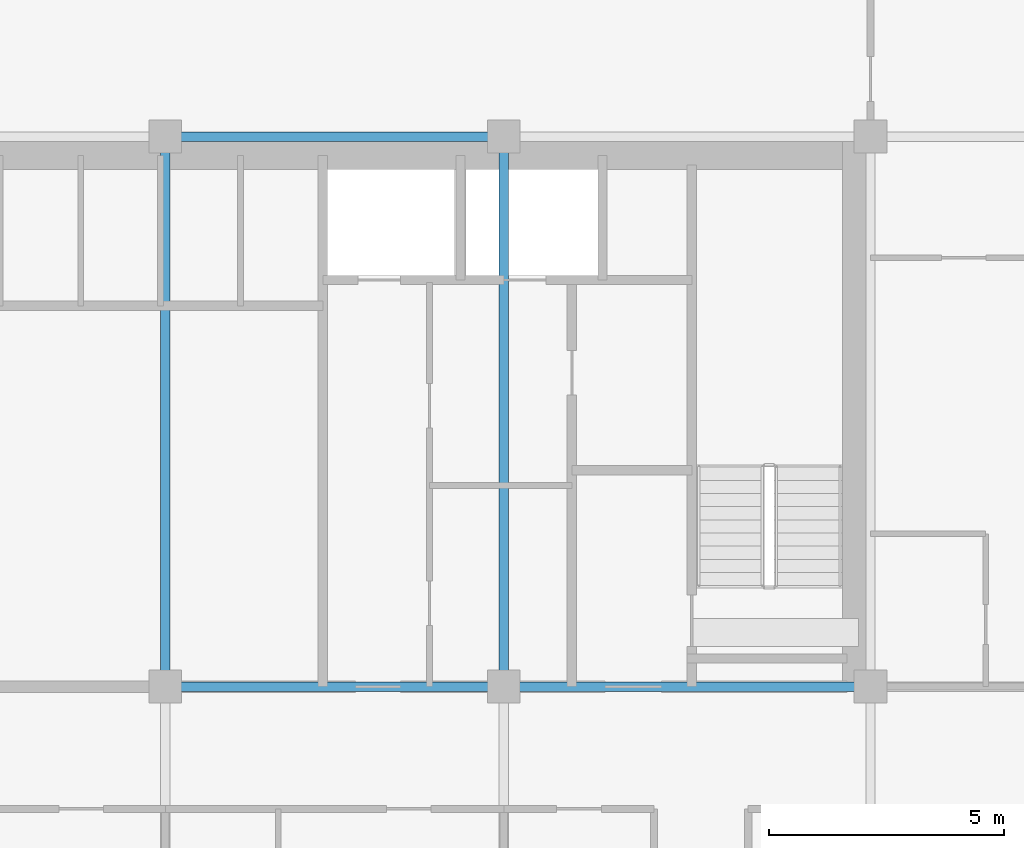
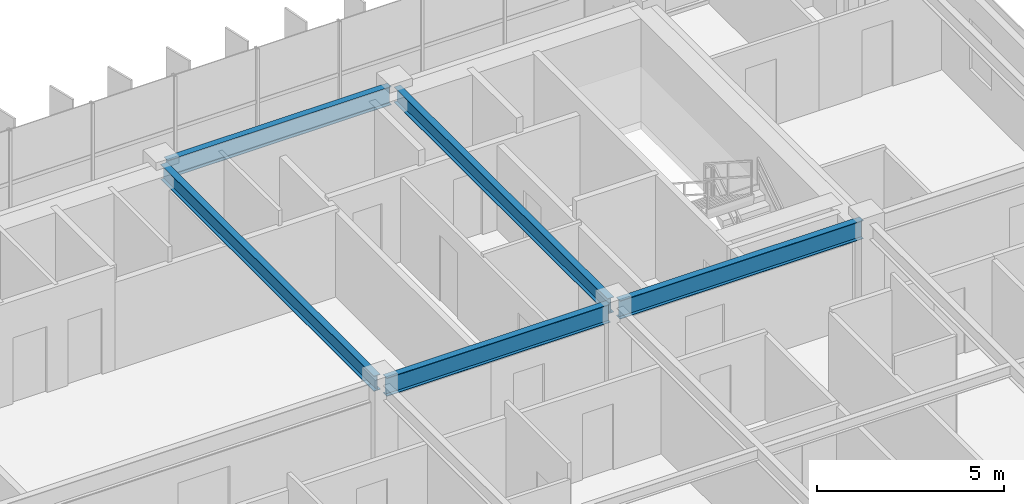
# One storey, part 8 of 21: 5 beams.
"""IFC4 building model written with IfcOpenShell, lengths in metres."""

import ifcopenshell
import ifcopenshell.guid

model = None  # the IFC model being written
_history = None  # IfcOwnerHistory: only IFC2X3 demands one
_inside = {}  # id of a spatial element -> (the spatial element, [elements in it])
_under = {}  # id of a project, library or spatial element -> (it, [spatial elements below it])
_declared = {}  # id of a project -> (the project, [libraries it declares])
_typed = {}  # id of a type object -> (the type object, [elements of that type])
_made_of = {}  # id of a material, layer set ... -> (it, [elements and type objects made of it])


def new_model(schema):
    """Start an empty IFC model of exactly this schema.

    Asked for "IFC4X3", IfcOpenShell would pick the latest addendum, in which some entities
    have other attributes; the version numbers below select the first issue.
    IFC2X3 requires an IfcOwnerHistory on every rooted entity: one is made here for all.
    """
    global model, _history
    if schema == "IFC4X3":
        model = ifcopenshell.file(schema_version=(4, 3, 0, 0))
    else:
        model = ifcopenshell.file(schema=schema)
    _inside.clear()
    _under.clear()
    _declared.clear()
    _typed.clear()
    _made_of.clear()
    _history = None
    if model.schema == "IFC2X3":
        org = make("IfcOrganization", Name="unknown")
        user = make(
            "IfcPersonAndOrganization",
            ThePerson=make("IfcPerson", FamilyName="unknown"),
            TheOrganization=org,
        )
        app = make(
            "IfcApplication",
            ApplicationDeveloper=org,
            Version="unknown",
            ApplicationFullName="unknown",
            ApplicationIdentifier="unknown",
        )
        _history = make(
            "IfcOwnerHistory",
            OwningUser=user,
            OwningApplication=app,
            ChangeAction="ADDED",
            CreationDate=0,
        )
    return model


def make(cls, **values):
    """One entity of the class cls with the attributes given. An attribute that is None is left unset."""
    return model.create_entity(
        cls, **{name: value for name, value in values.items() if value is not None}
    )


def rooted(cls, **values):
    """An entity with a GlobalId (a new one), such as an element, a storey or a relation."""
    return make(cls, GlobalId=ifcopenshell.guid.new(), OwnerHistory=_history, **values)


def si_unit(unit_type, name, prefix=None):
    """IfcSIUnit, for example si_unit("LENGTHUNIT", "METRE", prefix="MILLI")."""
    return make("IfcSIUnit", UnitType=unit_type, Prefix=prefix, Name=name)


def assignment(units):
    """IfcUnitAssignment: the units of a project."""
    return None if units is None else make("IfcUnitAssignment", Units=units)


def point(xyz):
    """IfcCartesianPoint."""
    return None if xyz is None else make("IfcCartesianPoint", Coordinates=xyz)


def direction(xyz):
    """IfcDirection."""
    return None if xyz is None else make("IfcDirection", DirectionRatios=xyz)


def frame(location, z_axis=None, x_axis=None):
    """IfcAxis2Placement3D, a coordinate frame: its origin and axes. An axis left out is left unset."""
    return make(
        "IfcAxis2Placement3D",
        Location=point(location),
        Axis=direction(z_axis),
        RefDirection=direction(x_axis),
    )


def frame_2d(location, x_axis=None):
    """IfcAxis2Placement2D, a coordinate frame in the plane: its origin and x axis."""
    return make(
        "IfcAxis2Placement2D", Location=point(location), RefDirection=direction(x_axis)
    )


def origin():
    """The frame at (0, 0, 0) with its axes left unset."""
    return frame((0.0, 0.0, 0.0))


def origin_2d():
    """The frame at (0, 0) in the plane with its x axis left unset."""
    return frame_2d((0.0, 0.0))


def place(relative_to, where):
    """IfcLocalPlacement: puts the frame where relative to a parent placement (None: the world)."""
    return make(
        "IfcLocalPlacement", PlacementRelTo=relative_to, RelativePlacement=where
    )


def context(
    kind, dimensions, precision=None, world=None, true_north=None, identifier=None
):
    """IfcGeometricRepresentationContext, for example the 3D "Model" context."""
    return make(
        "IfcGeometricRepresentationContext",
        ContextIdentifier=identifier,
        ContextType=kind,
        CoordinateSpaceDimension=dimensions,
        Precision=precision,
        WorldCoordinateSystem=world,
        TrueNorth=true_north,
    )


def subcontext(parent, identifier, kind, view, scale=None):
    """IfcGeometricRepresentationSubContext, for example "Body" below "Model"."""
    return make(
        "IfcGeometricRepresentationSubContext",
        ContextIdentifier=identifier,
        ContextType=kind,
        ParentContext=parent,
        TargetScale=scale,
        TargetView=view,
    )


def project(units=None, contexts=None):
    """IfcProject with its units and contexts."""
    return rooted(
        "IfcProject",
        Name="project",
        RepresentationContexts=contexts,
        UnitsInContext=assignment(units),
    )


def spatial(cls, under=None, at=None, **own):
    """A site, building, storey or space (cls), placed at a placement, below another one or the project."""
    s = rooted(cls, ObjectPlacement=at, **own)
    if under is not None:
        _under.setdefault(under.id(), (under, []))[1].append(s)
    return s


def profile(cls, at=None, kind="AREA", **sizes):
    """A parametric profile (cls). Its sizes go by their IFC names, for example OverallWidth=200.0."""
    return make(cls, ProfileType=kind, Position=at, **sizes)


def i_section(**sizes):
    """IfcIShapeProfileDef."""
    return profile("IfcIShapeProfileDef", **sizes)


def extrude(swept, where, along, depth):
    """IfcExtrudedAreaSolid: the profile swept, set in the frame where, extruded along a direction by depth."""
    return make(
        "IfcExtrudedAreaSolid",
        SweptArea=swept,
        Position=where,
        ExtrudedDirection=direction(along),
        Depth=depth,
    )


def shape(context_of_items, identifier, shape_type, items):
    """IfcShapeRepresentation: the items that make up one representation, for example the "Body"."""
    return make(
        "IfcShapeRepresentation",
        ContextOfItems=context_of_items,
        RepresentationIdentifier=identifier,
        RepresentationType=shape_type,
        Items=items,
    )


def source(mapping_origin, context_of_items, identifier, shape_type, items):
    """IfcRepresentationMap: a shape defined once, which mapped items show again and again."""
    return make(
        "IfcRepresentationMap",
        MappingOrigin=mapping_origin,
        MappedRepresentation=shape(context_of_items, identifier, shape_type, items),
    )


def transform(
    local_origin,
    x_axis=None,
    y_axis=None,
    z_axis=None,
    scale=None,
    scale2=None,
    scale3=None,
    uniform=True,
):
    """IfcCartesianTransformationOperator3D, or its non-uniform kind. x_axis, y_axis, z_axis: its Axis1, 2, 3."""
    if uniform:
        return make(
            "IfcCartesianTransformationOperator3D",
            Axis1=direction(x_axis),
            Axis2=direction(y_axis),
            LocalOrigin=point(local_origin),
            Scale=scale,
            Axis3=direction(z_axis),
        )
    return make(
        "IfcCartesianTransformationOperator3DnonUniform",
        Axis1=direction(x_axis),
        Axis2=direction(y_axis),
        LocalOrigin=point(local_origin),
        Scale=scale,
        Axis3=direction(z_axis),
        Scale2=scale2,
        Scale3=scale3,
    )


def mapped(mapping_source, mapping_target):
    """IfcMappedItem: shows the shape of a source again, moved by a transform."""
    return make(
        "IfcMappedItem", MappingSource=mapping_source, MappingTarget=mapping_target
    )


def material(Name=None, Category=None):
    """IfcMaterial."""
    return make("IfcMaterial", Name=Name, Category=Category)


def material_profile(
    of_material, cross_section, Name=None, Category=None, Priority=None
):
    """IfcMaterialProfile: a cross section and its material."""
    return make(
        "IfcMaterialProfile",
        Name=Name,
        Material=of_material,
        Profile=cross_section,
        Priority=Priority,
        Category=Category,
    )


def profile_set(profiles, Name=None, composite=None):
    """IfcMaterialProfileSet."""
    return make(
        "IfcMaterialProfileSet",
        Name=Name,
        MaterialProfiles=profiles,
        CompositeProfile=composite,
    )


def made_of(thing, what):
    """Note that an element or type object is made of a material, layer set ...; save() writes the relation."""
    if what is not None:
        _made_of.setdefault(what.id(), (what, []))[1].append(thing)
    return thing


def type_object(cls, material=None, **own):
    """A type object (cls), such as IfcWallType, which elements share."""
    return made_of(rooted(cls, **own), material)


def element(
    cls,
    number,
    at=None,
    inside=None,
    cuts=None,
    type_object=None,
    material=None,
    context=None,
    identifier="Body",
    shape_type=None,
    held_by="IfcProductDefinitionShape",
    body=None,
    shapes=None,
    **own,
):
    """One element of the class cls, such as IfcWall. Its Tag is "e" and its number.

    at: its placement. inside: the storey or other place that contains it. cuts: it is an
    opening in that element (IfcRelVoidsElement). A single representation is given by context,
    identifier, shape_type and body (its items); several are given by shapes. held_by: the class
    of the entity that holds the representations. save() writes the other relations.
    """
    e = rooted(cls, Tag="e%d" % number, ObjectPlacement=at, **own)
    if body is not None:
        shapes = [shape(context, identifier, shape_type, body)]
    if shapes is not None:
        e.Representation = make(held_by, Representations=shapes)
    if inside is not None:
        _inside.setdefault(inside.id(), (inside, []))[1].append(e)
    if cuts is not None:
        rooted(
            "IfcRelVoidsElement", RelatingBuildingElement=cuts, RelatedOpeningElement=e
        )
    if type_object is not None:
        _typed.setdefault(type_object.id(), (type_object, []))[1].append(e)
    return made_of(e, material)


def aggregate(whole, parts):
    """IfcRelAggregates: a whole, such as a stair, and the parts it consists of."""
    return rooted("IfcRelAggregates", RelatingObject=whole, RelatedObjects=parts)


def save(model, path):
    """Write the relations noted so far, then the file.

    IfcRelAggregates (storeys below a building ...), IfcRelContainedInSpatialStructure (elements
    in a storey), IfcRelDefinesByType, IfcRelAssociatesMaterial and IfcRelDeclares: one each for
    every whole, place, type object, material and project.
    """
    for whole, parts in _under.values():
        aggregate(whole, parts)
    for where, things in _inside.values():
        rooted(
            "IfcRelContainedInSpatialStructure",
            RelatedElements=things,
            RelatingStructure=where,
        )
    for kind, things in _typed.values():
        rooted("IfcRelDefinesByType", RelatedObjects=things, RelatingType=kind)
    for what, things in _made_of.values():
        rooted("IfcRelAssociatesMaterial", RelatedObjects=things, RelatingMaterial=what)
    for by, libraries in _declared.values():
        rooted("IfcRelDeclares", RelatingContext=by, RelatedDefinitions=libraries)
    model.write(path)


model = new_model("IFC4")

# Units and contexts
model_context = context("Model", 3, precision=1e-05, world=origin(), true_north=direction((0.0, 1.0)))
body_context = subcontext(model_context, "Body", "Model", "MODEL_VIEW")
ifc_project = project(units=[si_unit("LENGTHUNIT", "METRE"), si_unit("AREAUNIT", "SQUARE_METRE"), si_unit("VOLUMEUNIT", "CUBIC_METRE"), si_unit("PLANEANGLEUNIT", "RADIAN"), si_unit("MASSUNIT", "GRAM", prefix="KILO")], contexts=[model_context])

# Site, building, storey
site_placement = place(None, origin())
site = spatial("IfcSite", under=ifc_project, at=site_placement, CompositionType="ELEMENT")
building_placement = place(site_placement, origin())
building = spatial("IfcBuilding", under=site, at=building_placement, Name="Trelvane Seafront Commons", CompositionType="ELEMENT")
storey_placement = place(building_placement, frame((0.0, 0.0, 135.699951171875)))
storey = spatial("IfcBuildingStorey", under=building, at=storey_placement, Name="L35", CompositionType="ELEMENT", Elevation=135.699951171875)

# Beams
ifc_material = material(Name="Steel SM355 (S355)", Category="steel")
ifc_material_profile_1 = material_profile(ifc_material, i_section(OverallWidth=0.199951171875, OverallDepth=0.5, WebThickness=0.010009765625, FlangeThickness=0.01611328125, at=origin_2d()), Name="H-500x200x10x16")
ifc_profile_set_1 = profile_set([ifc_material_profile_1], Name="Steel SM355 (S355)")
beam_type_1 = type_object("IfcBeamType", Name="STR-BM-H500", PredefinedType="BEAM", material=ifc_profile_set_1)
shared_shape_1 = source(origin(), body_context, "Body", "SweptSolid", [
    extrude(i_section(OverallWidth=0.199951171875, OverallDepth=0.5, WebThickness=0.010009765625, FlangeThickness=0.01611328125, at=origin_2d()), origin(), (0.0, 0.0, 1.0), 11.39990234375),
])
for number, where, z_axis, x_axis, name in (
    (1, (43.800048828125, 33.550048828125, 3.10009765625), (0.0, 1.0, 0.0), (-1.0, 0.0, 0.0), "L35 Primary Girder G-43"),
    (2, (51.0, 33.550048828125, 3.10009765625), (0.0, 1.0, 0.0), (-1.0, 0.0, 0.0), "L35 Primary Girder G-46"),
):
    element("IfcBeam", number, at=place(storey_placement, frame(where, z_axis=z_axis, x_axis=x_axis)), inside=storey, type_object=beam_type_1, Name=name, PredefinedType="BEAM", context=body_context, shape_type="MappedRepresentation", body=[
        mapped(shared_shape_1, transform((0.0, 0.0, 0.0), x_axis=(1.0, 0.0, 0.0), y_axis=(0.0, 1.0, 0.0), z_axis=(0.0, 0.0, 1.0), scale=1.0)),
    ])
ifc_material_profile_2 = material_profile(ifc_material, i_section(OverallWidth=0.199951171875, OverallDepth=0.60009765625, WebThickness=0.010986328125, FlangeThickness=0.01708984375, at=origin_2d()), Name="H-600x200x11x17")
ifc_profile_set_2 = profile_set([ifc_material_profile_2], Name="Steel SM355 (S355)")
beam_type_2 = type_object("IfcBeamType", Name="STR-SPD-H600", PredefinedType="SPANDREL", material=ifc_profile_set_2)
shared_shape_2 = source(origin(), body_context, "Body", "SweptSolid", [
    extrude(i_section(OverallWidth=0.199951171875, OverallDepth=0.60009765625, WebThickness=0.010986328125, FlangeThickness=0.01708984375, at=origin_2d()), origin(), (0.0, 0.0, 1.0), 7.5),
])
beam_placement = place(storey_placement, frame((51.14990234375, 33.39990234375, 3.050048828125), z_axis=(1.0, 0.0, 0.0), x_axis=(0.0, 1.0, 0.0)))
element("IfcBeam", 3, at=beam_placement, inside=storey, type_object=beam_type_2, Name="L35 Primary Girder G-20", PredefinedType="SPANDREL", context=body_context, shape_type="MappedRepresentation", body=[
    mapped(shared_shape_2, transform((0.0, 0.0, 0.0), x_axis=(1.0, 0.0, 0.0), y_axis=(0.0, 1.0, 0.0), z_axis=(0.0, 0.0, 1.0), scale=1.0)),
])
shared_shape_3 = source(origin(), body_context, "Body", "SweptSolid", [
    extrude(i_section(OverallWidth=0.199951171875, OverallDepth=0.60009765625, WebThickness=0.010986328125, FlangeThickness=0.01708984375, at=origin_2d()), origin(), (0.0, 0.0, 1.0), 6.900146484375),
])
for number, where, z_axis, x_axis, name in (
    (4, (43.949951171875, 33.39990234375, 3.050048828125), (1.0, 0.0, 0.0), (0.0, 1.0, 0.0), "L35 Primary Girder G-19"),
    (5, (43.949951171875, 45.10009765625, 3.050048828125), (1.0, 0.0, 0.0), (0.0, 1.0, 0.0), "L35 Primary Girder G-26"),
):
    element("IfcBeam", number, at=place(storey_placement, frame(where, z_axis=z_axis, x_axis=x_axis)), inside=storey, type_object=beam_type_2, Name=name, PredefinedType="SPANDREL", context=body_context, shape_type="MappedRepresentation", body=[
        mapped(shared_shape_3, transform((0.0, 0.0, 0.0), x_axis=(1.0, 0.0, 0.0), y_axis=(0.0, 1.0, 0.0), z_axis=(0.0, 0.0, 1.0), scale=1.0)),
    ])

save(model, "model.ifc")
